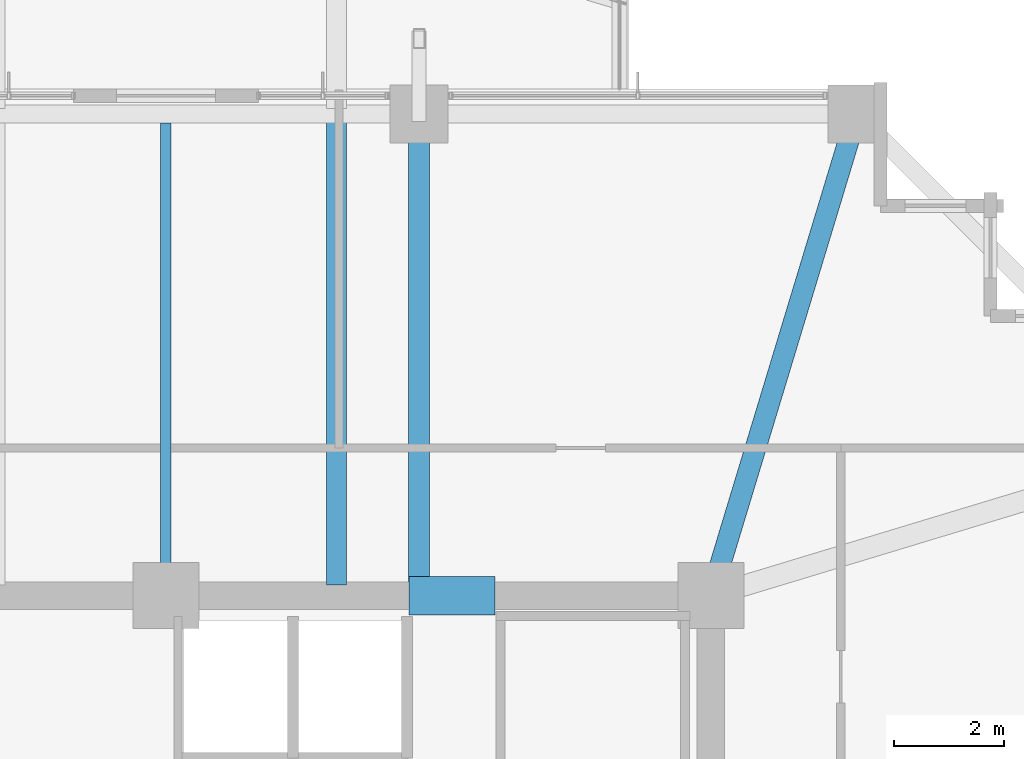
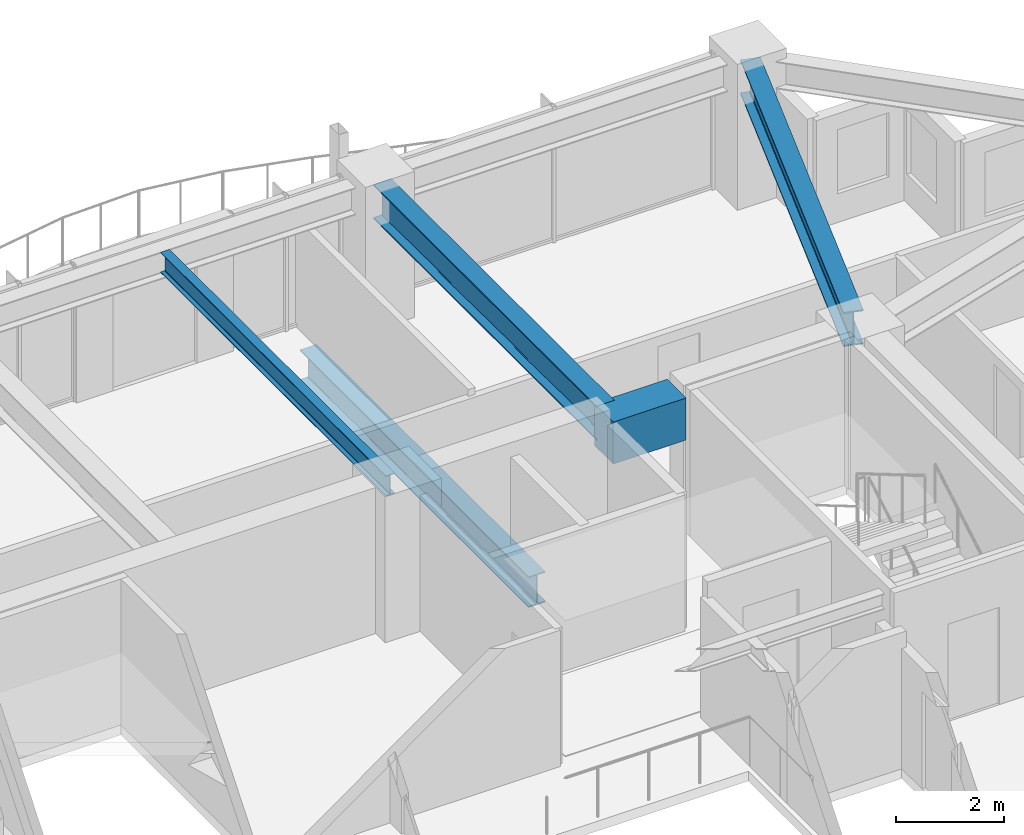
# One storey, part 16 of 31: 5 beams.
"""IFC4 building model written with IfcOpenShell, lengths in metres."""

from ifc_helpers import new_model, si_unit, direction, frame, origin, origin_2d, place, context, subcontext, project, spatial, rectangle, i_section, extrude, material, material_profile, profile_set, type_object, element, save


model = new_model("IFC4")

# Units and contexts
model_context = context("Model", 3, precision=1e-05, world=origin(), true_north=direction((0.0, 1.0)))
body_context = subcontext(model_context, "Body", "Model", "MODEL_VIEW")
ifc_project = project(units=[si_unit("LENGTHUNIT", "METRE"), si_unit("AREAUNIT", "SQUARE_METRE"), si_unit("VOLUMEUNIT", "CUBIC_METRE"), si_unit("PLANEANGLEUNIT", "RADIAN"), si_unit("MASSUNIT", "GRAM", prefix="KILO")], contexts=[model_context])

# Site, building, storey
site_placement = place(None, origin())
site = spatial("IfcSite", under=ifc_project, at=site_placement, CompositionType="ELEMENT")
building_placement = place(site_placement, origin())
building = spatial("IfcBuilding", under=site, at=building_placement, Name="Kolvaren Belvedere", CompositionType="ELEMENT")
storey_placement = place(building_placement, frame((0.0, 0.0, 118.39990234375)))
storey = spatial("IfcBuildingStorey", under=building, at=storey_placement, Name="L34", CompositionType="ELEMENT", Elevation=118.39990234375)

# Beams
ifc_material_1 = material(Name="Structural steel ASTM A992 Grade 50", Category="steel")
ifc_material_profile_1 = material_profile(ifc_material_1, i_section(OverallWidth=0.35498046875, OverallDepth=0.696044921875, WebThickness=0.015380859375, FlangeThickness=0.02490234375, FilletRadius=0.02197265625, at=origin_2d()), Name="W27X146")
ifc_profile_set_1 = profile_set([ifc_material_profile_1], Name="Structural steel ASTM A992 Grade 50")
beam_type_1 = type_object("IfcBeamType", Name="BM-GIRD-W27X146", PredefinedType="BEAM", material=ifc_profile_set_1)
beam_1_placement = place(storey_placement, frame((3.10009765625, 10.090087890625, -0.56787109375), z_axis=(0.0, 1.0, 0.0), x_axis=(-1.0, 0.0, 0.0)))
element("IfcBeam", 1, at=beam_1_placement, inside=storey, type_object=beam_type_1, Name="L34 Balcony Interior Back-Span Girder BAL-N-2", PredefinedType="BEAM", context=body_context, shape_type="SweptSolid", body=[
    extrude(i_section(OverallWidth=0.35498046875, OverallDepth=0.696044921875, WebThickness=0.015380859375, FlangeThickness=0.02490234375, FilletRadius=0.02197265625, at=origin_2d()), origin(), (0.0, 0.0, 1.0), 8.46484375),
])
ifc_material_2 = material(Name="Structural steel ASTM A992 Grade 50", Category="steel")
ifc_material_profile_2 = material_profile(ifc_material_2, i_section(OverallWidth=0.381103515625, OverallDepth=0.77294921875, WebThickness=0.0166015625, FlangeThickness=0.027099609375, FilletRadius=0.02392578125, at=origin_2d()), Name="W30X173")
ifc_profile_set_2 = profile_set([ifc_material_profile_2], Name="Structural steel ASTM A992 Grade 50")
beam_type_2 = type_object("IfcBeamType", Name="BM-GIRD-W30X173", PredefinedType="BEAM", material=ifc_profile_set_2)
beam_2_placement = place(storey_placement, frame((4.60009765625, 10.14990234375, 2.693603515625), z_axis=(0.0, 1.0, 0.0), x_axis=(-1.0, 0.0, 0.0)))
element("IfcBeam", 2, at=beam_2_placement, inside=storey, type_object=beam_type_2, Name="L34 North Radial Girder P", PredefinedType="BEAM", context=body_context, shape_type="SweptSolid", body=[
    extrude(i_section(OverallWidth=0.381103515625, OverallDepth=0.77294921875, WebThickness=0.0166015625, FlangeThickness=0.027099609375, FilletRadius=0.02392578125, at=origin_2d()), origin(), (0.0, 0.0, 1.0), 8.263916015625),
])
beam_3_placement = place(storey_placement, frame((10.059326171875, 10.426513671875, 2.693603515625), z_axis=(0.289858652454, 0.957069465398, 0.0), x_axis=(-0.957069465398, 0.289858652454, 0.0)))
element("IfcBeam", 3, at=beam_3_placement, inside=storey, type_object=beam_type_2, Name="L34 Corner Core-to-Perimeter Girder CC3-N4", PredefinedType="BEAM", context=body_context, shape_type="SweptSolid", body=[
    extrude(i_section(OverallWidth=0.381103515625, OverallDepth=0.77294921875, WebThickness=0.0166015625, FlangeThickness=0.027099609375, FilletRadius=0.02392578125, at=origin_2d()), origin(), (0.0, 0.0, 1.0), 8.38232421875),
])
ifc_material_3 = material(Name="Structural steel ASTM A992 Grade 50", Category="steel")
ifc_material_profile_3 = material_profile(ifc_material_3, i_section(OverallWidth=0.19091796875, OverallDepth=0.4599609375, WebThickness=0.010009765625, FlangeThickness=0.01611328125, FilletRadius=0.014892578125, at=origin_2d()), Name="W18X55")
ifc_profile_set_3 = profile_set([ifc_material_profile_3], Name="Structural steel ASTM A992 Grade 50")
beam_type_3 = type_object("IfcBeamType", Name="BM-JOIST-W18X55", PredefinedType="BEAM", material=ifc_profile_set_3)
beam_4_placement = place(storey_placement, frame((0.0, 10.14990234375, 2.85009765625), z_axis=(0.0, 1.0, 0.0), x_axis=(-1.0, 0.0, 0.0)))
element("IfcBeam", 4, at=beam_4_placement, inside=storey, type_object=beam_type_3, Name="L34 North Centre Floor Beam", PredefinedType="BEAM", context=body_context, shape_type="SweptSolid", body=[
    extrude(i_section(OverallWidth=0.19091796875, OverallDepth=0.4599609375, WebThickness=0.010009765625, FlangeThickness=0.01611328125, FilletRadius=0.014892578125, at=origin_2d()), origin(), (0.0, 0.0, 1.0), 8.337646484375),
])
ifc_material_4 = material(Name="Concrete C60/75", Category="concrete")
ifc_material_profile_4 = material_profile(ifc_material_4, rectangle(XDim=0.699951171875, YDim=0.949951171875, at=origin_2d()), Name="RC 700X950")
ifc_profile_set_4 = profile_set([ifc_material_profile_4], Name="Concrete C60/75")
beam_type_4 = type_object("IfcBeamType", Name="BM-LINT-950", PredefinedType="LINTEL", material=ifc_profile_set_4)
beam_5_placement = place(storey_placement, frame((4.419921875, 9.89990234375, 2.60498046875), z_axis=(1.0, 0.0, 0.0), x_axis=(0.0, 1.0, 0.0)))
element("IfcBeam", 5, at=beam_5_placement, inside=storey, type_object=beam_type_4, Name="L34 North Core Coupling Lintel", PredefinedType="LINTEL", context=body_context, shape_type="SweptSolid", body=[
    extrude(rectangle(XDim=0.699951171875, YDim=0.949951171875, at=origin_2d()), origin(), (0.0, 0.0, 1.0), 1.56005859375),
])

save(model, "model.ifc")
